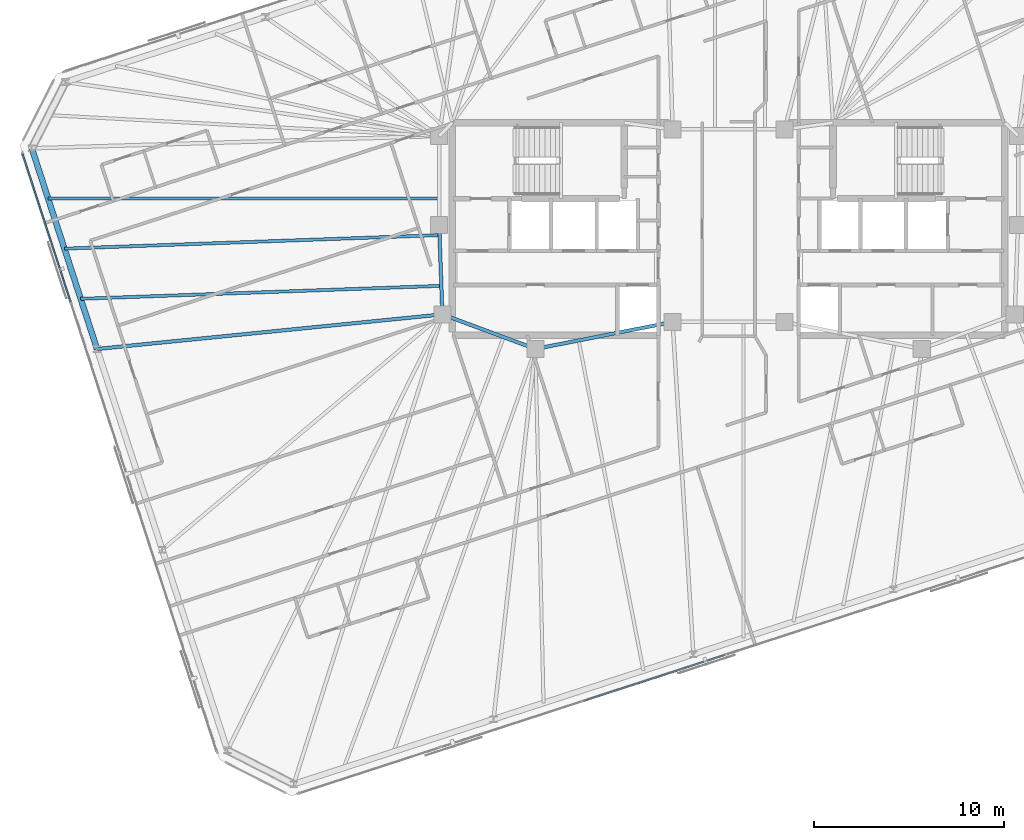
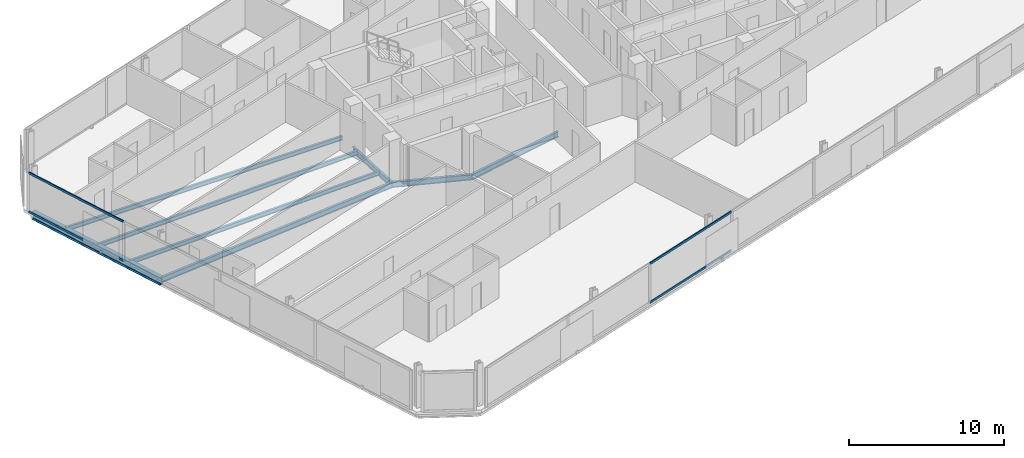
# One storey, part 6 of 19: 8 beams, 4 members, 2 elements without a shape of their own.
"""IFC4 building model written with IfcOpenShell, lengths in metres."""

from ifc_helpers import new_model, si_unit, direction, frame, origin, origin_2d, place, context, subcontext, project, spatial, rectangle, i_section, extrude, material, material_profile, profile_set, type_object, element, aggregate, save


model = new_model("IFC4")

# Units and contexts
model_context = context("Model", 3, precision=1e-05, world=origin(), true_north=direction((0.0, 1.0)))
body_context = subcontext(model_context, "Body", "Model", "MODEL_VIEW")
ifc_project = project(units=[si_unit("LENGTHUNIT", "METRE"), si_unit("AREAUNIT", "SQUARE_METRE"), si_unit("VOLUMEUNIT", "CUBIC_METRE"), si_unit("PLANEANGLEUNIT", "RADIAN"), si_unit("MASSUNIT", "GRAM", prefix="KILO")], contexts=[model_context])

# Site, building, storey
site_placement = place(None, origin())
site = spatial("IfcSite", under=ifc_project, at=site_placement, CompositionType="ELEMENT")
building_placement = place(site_placement, origin())
building = spatial("IfcBuilding", under=site, at=building_placement, Name="Menara Jurai Vektor", CompositionType="ELEMENT")
storey_placement = place(building_placement, frame((0.0, 0.0, 210.89990234375)))
storey = spatial("IfcBuildingStorey", under=building, at=storey_placement, Name="L55", CompositionType="ELEMENT", Elevation=210.89990234375)

# Curtain wall, members
ifc_material_1 = material(Name="Anodised Pale Aluminium & Low-E Double Glazing", Category="aluminium")
curtain_wall_type = type_object("IfcCurtainWallType", Name="CW-BLK4", PredefinedType="NOTDEFINED", material=ifc_material_1)
curtain_wall_1_placement = place(storey_placement, origin())
curtain_wall_1 = element("IfcCurtainWall", 1, at=curtain_wall_1_placement, inside=storey, type_object=curtain_wall_type, Name="Unitised Curtain Wall L55 F01", PredefinedType="NOTDEFINED")
ifc_material_2 = material(Name="Anodised Pale Aluminium Transom", Category="aluminium")
ifc_material_profile_1 = material_profile(ifc_material_2, rectangle(XDim=0.080078125, YDim=0.1650390625, at=origin_2d()), Name="ALU TRN 80x165")
ifc_profile_set_1 = profile_set([ifc_material_profile_1], Name="Anodised Pale Aluminium Transom")
member_type = type_object("IfcMemberType", Name="CW-BLK4-TRN", PredefinedType="USERDEFINED", material=ifc_profile_set_1)
member_1_placement = place(storey_placement, frame((-7.639404296875, -24.86669921875, 0.0400390625), z_axis=(0.951059330237, 0.309008333817, 0.0), x_axis=(-0.309008333817, 0.951059330237, 0.0)))
member_1 = element("IfcMember", 2, at=member_1_placement, type_object=member_type, Name="CW-04 transom 3.1", ObjectType="TRANSOM", PredefinedType="USERDEFINED", context=body_context, shape_type="SweptSolid", body=[
    extrude(rectangle(XDim=0.080078125, YDim=0.1650390625, at=origin_2d()), origin(), (0.0, 0.0, 1.0), 7.8115234375),
])
member_2_placement = place(storey_placement, frame((-7.639404296875, -24.86669921875, 3.085205078125), z_axis=(0.951059330237, 0.309008333817, 0.0), x_axis=(-0.309008333817, 0.951059330237, 0.0)))
member_2 = element("IfcMember", 3, at=member_2_placement, type_object=member_type, Name="CW-04 transom 3.2", ObjectType="TRANSOM", PredefinedType="USERDEFINED", context=body_context, shape_type="SweptSolid", body=[
    extrude(rectangle(XDim=0.080078125, YDim=0.1650390625, at=origin_2d()), origin(), (0.0, 0.0, 1.0), 7.8115234375),
])
aggregate(curtain_wall_1, [member_1, member_2])

curtain_wall_2_placement = place(storey_placement, origin())
curtain_wall_2 = element("IfcCurtainWall", 4, at=curtain_wall_2_placement, inside=storey, type_object=curtain_wall_type, Name="Unitised Curtain Wall L55 F07", PredefinedType="NOTDEFINED")
member_3_placement = place(storey_placement, frame((-37.19384765625, 3.950927734375, 0.0400390625), z_axis=(0.309010577384, -0.951058601278, 0.0), x_axis=(0.951058601278, 0.309010577384, 0.0)))
member_3 = element("IfcMember", 5, at=member_3_placement, type_object=member_type, Name="CW-04 transom 1.1", ObjectType="TRANSOM", PredefinedType="USERDEFINED", context=body_context, shape_type="SweptSolid", body=[
    extrude(rectangle(XDim=0.080078125, YDim=0.1650390625, at=origin_2d()), origin(), (0.0, 0.0, 1.0), 8.18994140625),
])
member_4_placement = place(storey_placement, frame((-37.19384765625, 3.950927734375, 3.085205078125), z_axis=(0.309010577384, -0.951058601278, 0.0), x_axis=(0.951058601278, 0.309010577384, 0.0)))
member_4 = element("IfcMember", 6, at=member_4_placement, type_object=member_type, Name="CW-04 transom 1.2", ObjectType="TRANSOM", PredefinedType="USERDEFINED", context=body_context, shape_type="SweptSolid", body=[
    extrude(rectangle(XDim=0.080078125, YDim=0.1650390625, at=origin_2d()), origin(), (0.0, 0.0, 1.0), 8.18994140625),
])
aggregate(curtain_wall_2, [member_3, member_4])

# Beams
ifc_material_3 = material(Name="Steel S355", Category="steel")
ifc_material_profile_2 = material_profile(ifc_material_3, i_section(OverallWidth=0.18505859375, OverallDepth=0.429931640625, WebThickness=0.010986328125, FlangeThickness=0.01806640625, at=origin_2d()), Name="PG 430x185x76")
ifc_profile_set_2 = profile_set([ifc_material_profile_2], Name="Steel S355")
beam_type_1 = type_object("IfcBeamType", Name="STR-BM-430", PredefinedType="BEAM", material=ifc_profile_set_2)
beam_1_placement = place(storey_placement, frame((-15.080078125, -4.5, -0.43994140625), z_axis=(-0.035977314146, 0.999352606874, 0.0), x_axis=(-0.999352606874, -0.035977314146, 0.0)))
element("IfcBeam", 7, at=beam_1_placement, inside=storey, type_object=beam_type_1, Name="Core Ring Header Girder L55-CHW-W2", PredefinedType="BEAM", context=body_context, shape_type="SweptSolid", body=[
    extrude(i_section(OverallWidth=0.18505859375, OverallDepth=0.429931640625, WebThickness=0.010986328125, FlangeThickness=0.01806640625, at=origin_2d()), origin(), (0.0, 0.0, 1.0), 4.72314453125),
])
beam_2_placement = place(storey_placement, frame((-15.080078125, -4.5, -0.43994140625), z_axis=(0.937424400887, -0.348188874925, 0.0), x_axis=(0.348188874925, 0.937424400887, 0.0)))
element("IfcBeam", 8, at=beam_2_placement, inside=storey, type_object=beam_type_1, Name="Core Ring Header Girder L55-CHW-S1", PredefinedType="BEAM", context=body_context, shape_type="SweptSolid", body=[
    extrude(i_section(OverallWidth=0.18505859375, OverallDepth=0.429931640625, WebThickness=0.010986328125, FlangeThickness=0.01806640625, at=origin_2d()), origin(), (0.0, 0.0, 1.0), 5.227294921875),
])
beam_3_placement = place(storey_placement, frame((-10.179931640625, -6.320068359375, -0.43994140625), z_axis=(0.981249044334, 0.192744164614, 0.0), x_axis=(-0.192744164614, 0.981249044334, 0.0)))
element("IfcBeam", 9, at=beam_3_placement, inside=storey, type_object=beam_type_1, Name="Core Ring Header Girder L55-CHW-S2", PredefinedType="BEAM", context=body_context, shape_type="SweptSolid", body=[
    extrude(i_section(OverallWidth=0.18505859375, OverallDepth=0.429931640625, WebThickness=0.010986328125, FlangeThickness=0.01806640625, at=origin_2d()), origin(), (0.0, 0.0, 1.0), 7.3681640625),
])
beam_4_placement = place(storey_placement, frame((-33.277587890625, -6.322509765625, -0.43994140625), z_axis=(0.995022243563, 0.099653072276, 0.0), x_axis=(-0.099653072276, 0.995022243563, 0.0)))
element("IfcBeam", 10, at=beam_4_placement, inside=storey, type_object=beam_type_1, Name="Radial Floor Girder L55-W2", PredefinedType="BEAM", context=body_context, shape_type="SweptSolid", body=[
    extrude(i_section(OverallWidth=0.18505859375, OverallDepth=0.429931640625, WebThickness=0.010986328125, FlangeThickness=0.01806640625, at=origin_2d()), origin(), (0.0, 0.0, 1.0), 18.28857421875),
])
ifc_material_profile_3 = material_profile(ifc_material_3, i_section(OverallWidth=0.1650390625, OverallDepth=0.330078125, WebThickness=0.009033203125, FlangeThickness=0.013916015625, at=origin_2d()), Name="PG 330x165x46")
ifc_profile_set_3 = profile_set([ifc_material_profile_3], Name="Steel S355")
beam_type_2 = type_object("IfcBeamType", Name="STR-JS-330", PredefinedType="JOIST", material=ifc_profile_set_3)
beam_5_placement = place(storey_placement, frame((-35.8544921875, 1.6083984375, -0.389892578125), z_axis=(1.0, 0.0, 0.0), x_axis=(0.0, 1.0, 0.0)))
element("IfcBeam", 11, at=beam_5_placement, inside=storey, type_object=beam_type_2, Name="Radial Secondary Floor Joist L55-JS28", PredefinedType="JOIST", context=body_context, shape_type="SweptSolid", body=[
    extrude(i_section(OverallWidth=0.1650390625, OverallDepth=0.330078125, WebThickness=0.009033203125, FlangeThickness=0.013916015625, at=origin_2d()), origin(), (0.0, 0.0, 1.0), 20.6044921875),
])
beam_6_placement = place(storey_placement, frame((-34.99560546875, -1.03515625, -0.389892578125), z_axis=(0.999351957959, 0.035995334734, 0.0), x_axis=(-0.035995334734, 0.999351957959, 0.0)))
element("IfcBeam", 12, at=beam_6_placement, inside=storey, type_object=beam_type_2, Name="Radial Secondary Floor Joist L55-JS29", PredefinedType="JOIST", context=body_context, shape_type="SweptSolid", body=[
    extrude(i_section(OverallWidth=0.1650390625, OverallDepth=0.330078125, WebThickness=0.009033203125, FlangeThickness=0.013916015625, at=origin_2d()), origin(), (0.0, 0.0, 1.0), 19.77783203125),
])
beam_7_placement = place(storey_placement, frame((-34.136474609375, -3.6787109375, -0.389892578125), z_axis=(0.999352161922, 0.035989671603, 0.0), x_axis=(-0.035989671603, 0.999352161922, 0.0)))
element("IfcBeam", 13, at=beam_7_placement, inside=storey, type_object=beam_type_2, Name="Radial Secondary Floor Joist L55-JS30", PredefinedType="JOIST", context=body_context, shape_type="SweptSolid", body=[
    extrude(i_section(OverallWidth=0.1650390625, OverallDepth=0.330078125, WebThickness=0.009033203125, FlangeThickness=0.013916015625, at=origin_2d()), origin(), (0.0, 0.0, 1.0), 19.014404296875),
])
ifc_material_profile_4 = material_profile(ifc_material_3, i_section(OverallWidth=0.306884765625, OverallDepth=0.6201171875, WebThickness=0.013916015625, FlangeThickness=0.02392578125, FilletRadius=0.01708984375, at=origin_2d()), Name="UKB 610x305x179")
ifc_profile_set_4 = profile_set([ifc_material_profile_4], Name="Steel S355")
beam_type_3 = type_object("IfcBeamType", Name="STR-SP-610", PredefinedType="SPANDREL", material=ifc_profile_set_4)
beam_8_placement = place(storey_placement, frame((-36.71337890625, 4.251953125, -0.534912109375), z_axis=(0.309012092614, -0.95105810896, 0.0), x_axis=(0.95105810896, 0.309012092614, 0.0)))
element("IfcBeam", 14, at=beam_8_placement, inside=storey, type_object=beam_type_3, Name="Exoskeleton Spandrel Beam L55-17", PredefinedType="SPANDREL", context=body_context, shape_type="SweptSolid", body=[
    extrude(i_section(OverallWidth=0.306884765625, OverallDepth=0.6201171875, WebThickness=0.013916015625, FlangeThickness=0.02392578125, FilletRadius=0.01708984375, at=origin_2d()), origin(), (0.0, 0.0, 1.0), 11.11865234375),
])

save(model, "model.ifc")
